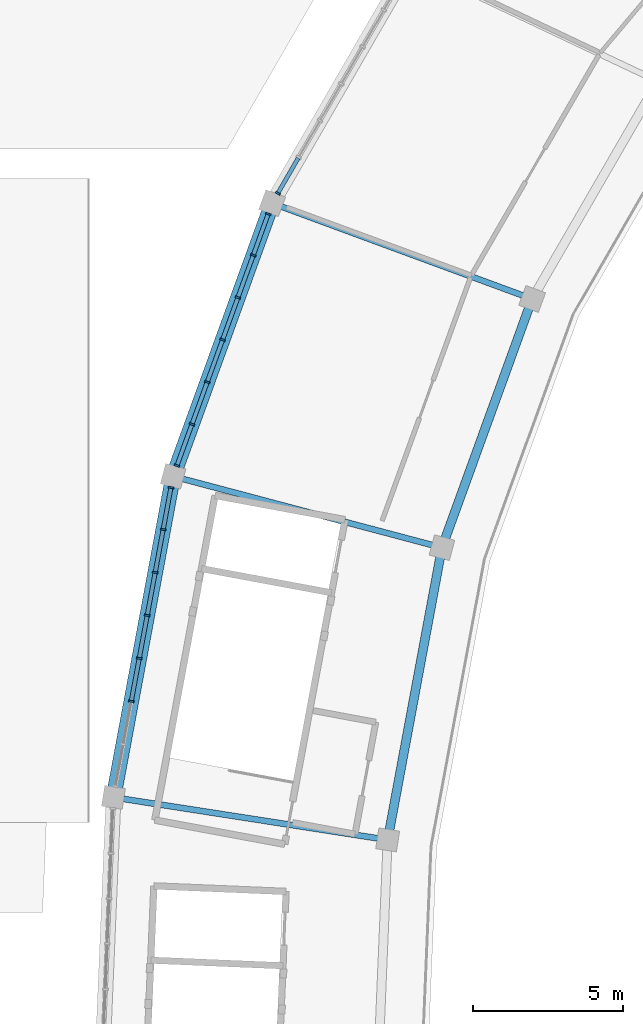
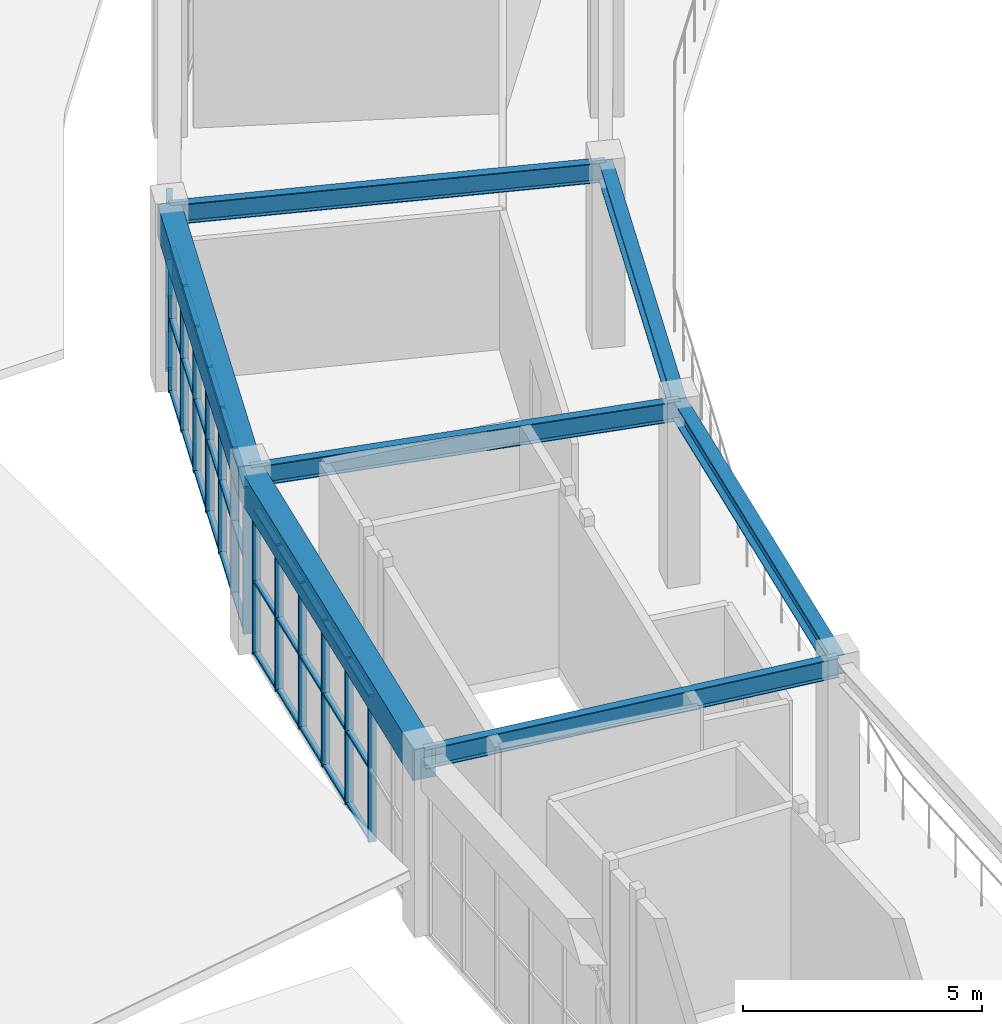
# One storey, part 21 of 45: 50 members, 7 beams, 3 elements without a shape of their own.
"""IFC4 building model written with IfcOpenShell, lengths in metres."""

from ifc_helpers import new_model, si_unit, direction, frame, origin, origin_2d, place, context, subcontext, project, spatial, rectangle, i_section, extrude, material, layer, layer_set, material_profile, profile_set, type_object, element, aggregate, save


model = new_model("IFC4")

# Units and contexts
model_context = context("Model", 3, precision=1e-05, world=origin(), true_north=direction((0.0, 1.0)))
body_context = subcontext(model_context, "Body", "Model", "MODEL_VIEW")
ifc_project = project(units=[si_unit("LENGTHUNIT", "METRE"), si_unit("AREAUNIT", "SQUARE_METRE"), si_unit("VOLUMEUNIT", "CUBIC_METRE"), si_unit("PLANEANGLEUNIT", "RADIAN"), si_unit("MASSUNIT", "GRAM", prefix="KILO")], contexts=[model_context])

# Site, building, storey
site_placement = place(None, origin())
site = spatial("IfcSite", under=ifc_project, at=site_placement, CompositionType="ELEMENT")
building_placement = place(site_placement, origin())
building = spatial("IfcBuilding", under=site, at=building_placement, Name="Mphavela Belvedere Stadium", CompositionType="ELEMENT")
storey_placement = place(building_placement, frame((0.0, 0.0, 24.0)))
storey = spatial("IfcBuildingStorey", under=building, at=storey_placement, Name="L05", CompositionType="ELEMENT", Elevation=24.0)

# Beams
ifc_material_1 = material(Name="Concrete C40/50", Category="concrete")
ifc_material_profile_1 = material_profile(ifc_material_1, rectangle(XDim=0.5, YDim=0.800048828125, at=origin_2d()), Name="RC 500x800")
ifc_profile_set_1 = profile_set([ifc_material_profile_1], Name="Concrete C40/50")
beam_type_1 = type_object("IfcBeamType", Name="BM-SPANDREL-800", PredefinedType="SPANDREL", material=ifc_profile_set_1)
beam_1_placement = place(storey_placement, frame((18.143798828125, 122.682373046875, 4.14990234375), z_axis=(-0.341017570596, -0.94005692197, 0.0), x_axis=(0.94005692197, -0.341017570596, 0.0)))
element("IfcBeam", 1, at=beam_1_placement, inside=storey, type_object=beam_type_1, Name="Circumferential girder L05 R4-22", PredefinedType="SPANDREL", context=body_context, shape_type="SweptSolid", body=[
    extrude(rectangle(XDim=0.5, YDim=0.800048828125, at=origin_2d()), origin(), (0.0, 0.0, 1.0), 9.701416015625),
])
beam_2_placement = place(storey_placement, frame((14.83544921875, 113.5625, 4.14990234375), z_axis=(-0.18264260648, -0.983179372393, 0.0), x_axis=(0.983179372393, -0.18264260648, 0.0)))
element("IfcBeam", 2, at=beam_2_placement, inside=storey, type_object=beam_type_1, Name="Circumferential girder L05 R4-23", PredefinedType="SPANDREL", context=body_context, shape_type="SweptSolid", body=[
    extrude(rectangle(XDim=0.5, YDim=0.800048828125, at=origin_2d()), origin(), (0.0, 0.0, 1.0), 10.90087890625),
])
ifc_material_2 = material(Name="Steel S355", Category="steel")
ifc_material_profile_2 = material_profile(ifc_material_2, i_section(OverallWidth=0.300048828125, OverallDepth=0.489990234375, WebThickness=0.011962890625, FlangeThickness=0.02294921875, at=origin_2d()), Name="HEA 500")
ifc_profile_set_2 = profile_set([ifc_material_profile_2], Name="Steel S355")
beam_type_2 = type_object("IfcBeamType", Name="BM-STEEL-HEA500", PredefinedType="BEAM", material=ifc_profile_set_2)
beam_3_placement = place(storey_placement, frame((26.824462890625, 119.484375, 4.304931640625), z_axis=(-0.341030504348, -0.940052229987, 0.0), x_axis=(0.940052229987, -0.341030504348, 0.0)))
element("IfcBeam", 3, at=beam_3_placement, inside=storey, type_object=beam_type_2, Name="Circumferential girder L05 R3-22", PredefinedType="BEAM", context=body_context, shape_type="SweptSolid", body=[
    extrude(i_section(OverallWidth=0.300048828125, OverallDepth=0.489990234375, WebThickness=0.011962890625, FlangeThickness=0.02294921875, at=origin_2d()), origin(), (0.0, 0.0, 1.0), 8.83203125),
])
beam_4_placement = place(storey_placement, frame((23.8125, 111.181884765625, 4.304931640625), z_axis=(-0.182638056683, -0.983180217585, 0.0), x_axis=(0.983180217585, -0.182638056683, 0.0)))
element("IfcBeam", 4, at=beam_4_placement, inside=storey, type_object=beam_type_2, Name="Circumferential girder L05 R3-23", PredefinedType="BEAM", context=body_context, shape_type="SweptSolid", body=[
    extrude(i_section(OverallWidth=0.300048828125, OverallDepth=0.489990234375, WebThickness=0.011962890625, FlangeThickness=0.02294921875, at=origin_2d()), origin(), (0.0, 0.0, 1.0), 9.924072265625),
])
ifc_material_3 = material(Name="Steel S355", Category="steel")
ifc_material_profile_3 = material_profile(ifc_material_3, i_section(OverallWidth=0.199951171875, OverallDepth=0.5, WebThickness=0.01025390625, FlangeThickness=0.01611328125, at=origin_2d()), Name="IPE 500")
ifc_profile_set_3 = profile_set([ifc_material_profile_3], Name="Steel S355")
beam_type_3 = type_object("IfcBeamType", Name="BM-STEEL-IPE500", PredefinedType="BEAM", material=ifc_profile_set_3)
beam_5_placement = place(storey_placement, frame((26.824462890625, 119.484375, 4.300048828125), z_axis=(-0.938348073025, 0.345691905967, 0.0), x_axis=(-0.345691905967, -0.938348073025, 0.0)))
element("IfcBeam", 5, at=beam_5_placement, inside=storey, type_object=beam_type_3, Name="Radial concourse girder L05 R3R4-22", PredefinedType="BEAM", context=body_context, shape_type="SweptSolid", body=[
    extrude(i_section(OverallWidth=0.199951171875, OverallDepth=0.5, WebThickness=0.01025390625, FlangeThickness=0.01611328125, at=origin_2d()), origin(), (0.0, 0.0, 1.0), 9.2509765625),
])
beam_6_placement = place(storey_placement, frame((23.8125, 111.181884765625, 4.300048828125), z_axis=(-0.966589609073, 0.256328944196, 0.0), x_axis=(-0.256328944196, -0.966589609073, 0.0)))
element("IfcBeam", 6, at=beam_6_placement, inside=storey, type_object=beam_type_3, Name="Radial concourse girder L05 R3R4-23", PredefinedType="BEAM", context=body_context, shape_type="SweptSolid", body=[
    extrude(i_section(OverallWidth=0.199951171875, OverallDepth=0.5, WebThickness=0.01025390625, FlangeThickness=0.01611328125, at=origin_2d()), origin(), (0.0, 0.0, 1.0), 9.287353515625),
])
beam_7_placement = place(storey_placement, frame((22.0, 101.4248046875, 4.300048828125), z_axis=(-0.988182369303, 0.153282761586, 0.0), x_axis=(-0.153282761586, -0.988182369303, 0.0)))
element("IfcBeam", 7, at=beam_7_placement, inside=storey, type_object=beam_type_3, Name="Radial concourse girder L05 R3R4-24", PredefinedType="BEAM", context=body_context, shape_type="SweptSolid", body=[
    extrude(i_section(OverallWidth=0.199951171875, OverallDepth=0.5, WebThickness=0.01025390625, FlangeThickness=0.01611328125, at=origin_2d()), origin(), (0.0, 0.0, 1.0), 9.264892578125),
])

# Curtain wall, member
ifc_material_4 = material(Name="Anodised bronze unitised curtain wall framing")
ifc_layer_1 = layer(ifc_material_4, 0.18994140625)
ifc_layer_set_1 = layer_set([ifc_layer_1], Name="Anodised bronze unitised curtain wall framing")
curtain_wall_type_1 = type_object("IfcCurtainWallType", Name="CW-UNIT-03", PredefinedType="USERDEFINED", material=ifc_layer_set_1)
curtain_wall_1_placement = place(storey_placement, origin())
curtain_wall_1 = element("IfcCurtainWall", 8, at=curtain_wall_1_placement, inside=storey, type_object=curtain_wall_type_1, Name="Belvedere colonnade curtain wall L05-21", ObjectType="UNITISED CURTAIN WALL", PredefinedType="USERDEFINED")
ifc_material_5 = material(Name="Anodised bronze extruded aluminium", Category="aluminium")
ifc_material_profile_4 = material_profile(ifc_material_5, rectangle(XDim=0.179931640625, YDim=0.06494140625, at=origin_2d()), Name="CW-MUL 180x65")
ifc_profile_set_4 = profile_set([ifc_material_profile_4], Name="Anodised bronze extruded aluminium")
member_type_1 = type_object("IfcMemberType", Name="CWM-180x65", PredefinedType="MULLION", material=ifc_profile_set_4)
member_1_placement = place(storey_placement, frame((18.33447265625, 123.01171875, 0.0), z_axis=(0.0, 0.0, 1.0), x_axis=(0.865704159606, -0.500555998906, 0.0)))
member_1 = element("IfcMember", 9, at=member_1_placement, type_object=member_type_1, Name="CW-03 mullion 7", PredefinedType="MULLION", context=body_context, shape_type="SweptSolid", body=[
    extrude(rectangle(XDim=0.179931640625, YDim=0.06494140625, at=origin_2d()), origin(), (0.0, 0.0, 1.0), 3.719970703125),
])

# Curtain wall, members
ifc_material_6 = material(Name="Anodised bronze unitised curtain wall framing")
ifc_layer_2 = layer(ifc_material_6, 0.195068359375)
ifc_layer_set_2 = layer_set([ifc_layer_2], Name="Anodised bronze unitised curtain wall framing")
curtain_wall_type_2 = type_object("IfcCurtainWallType", Name="CW-UNIT-04", PredefinedType="USERDEFINED", material=ifc_layer_set_2)
curtain_wall_2_placement = place(storey_placement, origin())
curtain_wall_2 = element("IfcCurtainWall", 10, at=curtain_wall_2_placement, inside=storey, type_object=curtain_wall_type_2, Name="Belvedere colonnade curtain wall L05-22", ObjectType="UNITISED CURTAIN WALL", PredefinedType="USERDEFINED")
member_2_placement = place(storey_placement, frame((18.01416015625, 122.32470703125, 0.0), z_axis=(0.0, 0.0, 1.0), x_axis=(0.940053496111, -0.341027014251, 0.0)))
member_2 = element("IfcMember", 11, at=member_2_placement, type_object=member_type_1, Name="CW-04 mullion 1", PredefinedType="MULLION", context=body_context, shape_type="SweptSolid", body=[
    extrude(rectangle(XDim=0.179931640625, YDim=0.06494140625, at=origin_2d()), origin(), (0.0, 0.0, 1.0), 3.719970703125),
])
member_3_placement = place(storey_placement, frame((17.513427734375, 120.9443359375, 0.0), z_axis=(0.0, 0.0, 1.0), x_axis=(0.940053496111, -0.341027014251, 0.0)))
member_3 = element("IfcMember", 12, at=member_3_placement, type_object=member_type_1, Name="CW-04 mullion 2", PredefinedType="MULLION", context=body_context, shape_type="SweptSolid", body=[
    extrude(rectangle(XDim=0.179931640625, YDim=0.06494140625, at=origin_2d()), origin(), (0.0, 0.0, 1.0), 3.719970703125),
])
member_4_placement = place(storey_placement, frame((17.00146484375, 119.533447265625, 0.0), z_axis=(0.0, 0.0, 1.0), x_axis=(0.940053496111, -0.341027014251, 0.0)))
member_4 = element("IfcMember", 13, at=member_4_placement, type_object=member_type_1, Name="CW-04 mullion 3", PredefinedType="MULLION", context=body_context, shape_type="SweptSolid", body=[
    extrude(rectangle(XDim=0.179931640625, YDim=0.06494140625, at=origin_2d()), origin(), (0.0, 0.0, 1.0), 3.719970703125),
])
member_5_placement = place(storey_placement, frame((16.48974609375, 118.122314453125, 0.0), z_axis=(0.0, 0.0, 1.0), x_axis=(0.940053496111, -0.341027014251, 0.0)))
member_5 = element("IfcMember", 14, at=member_5_placement, type_object=member_type_1, Name="CW-04 mullion 4", PredefinedType="MULLION", context=body_context, shape_type="SweptSolid", body=[
    extrude(rectangle(XDim=0.179931640625, YDim=0.06494140625, at=origin_2d()), origin(), (0.0, 0.0, 1.0), 3.719970703125),
])
member_6_placement = place(storey_placement, frame((15.977783203125, 116.71142578125, 0.0), z_axis=(0.0, 0.0, 1.0), x_axis=(0.940053496111, -0.341027014251, 0.0)))
member_6 = element("IfcMember", 15, at=member_6_placement, type_object=member_type_1, Name="CW-04 mullion 5", PredefinedType="MULLION", context=body_context, shape_type="SweptSolid", body=[
    extrude(rectangle(XDim=0.179931640625, YDim=0.06494140625, at=origin_2d()), origin(), (0.0, 0.0, 1.0), 3.719970703125),
])
member_7_placement = place(storey_placement, frame((15.466064453125, 115.300537109375, 0.0), z_axis=(0.0, 0.0, 1.0), x_axis=(0.940053496111, -0.341027014251, 0.0)))
member_7 = element("IfcMember", 16, at=member_7_placement, type_object=member_type_1, Name="CW-04 mullion 6", PredefinedType="MULLION", context=body_context, shape_type="SweptSolid", body=[
    extrude(rectangle(XDim=0.179931640625, YDim=0.06494140625, at=origin_2d()), origin(), (0.0, 0.0, 1.0), 3.719970703125),
])
member_8_placement = place(storey_placement, frame((14.965087890625, 113.920166015625, 0.0), z_axis=(0.0, 0.0, 1.0), x_axis=(0.940053496111, -0.341027014251, 0.0)))
member_8 = element("IfcMember", 17, at=member_8_placement, type_object=member_type_1, Name="CW-04 mullion 7", PredefinedType="MULLION", context=body_context, shape_type="SweptSolid", body=[
    extrude(rectangle(XDim=0.179931640625, YDim=0.06494140625, at=origin_2d()), origin(), (0.0, 0.0, 1.0), 3.719970703125),
])

ifc_material_7 = material(Name="Anodised bronze unitised curtain wall framing")
ifc_layer_3 = layer(ifc_material_7, 0.199951171875)
ifc_layer_set_3 = layer_set([ifc_layer_3], Name="Anodised bronze unitised curtain wall framing")
curtain_wall_type_3 = type_object("IfcCurtainWallType", Name="CW-UNIT-05", PredefinedType="USERDEFINED", material=ifc_layer_set_3)
curtain_wall_3_placement = place(storey_placement, origin())
curtain_wall_3 = element("IfcCurtainWall", 18, at=curtain_wall_3_placement, inside=storey, type_object=curtain_wall_type_3, Name="Belvedere colonnade curtain wall L05-23", ObjectType="UNITISED CURTAIN WALL", PredefinedType="USERDEFINED")
member_9_placement = place(storey_placement, frame((14.765869140625, 113.1884765625, 0.0), z_axis=(0.0, 0.0, 1.0), x_axis=(0.98318393569, -0.182618040183, 0.0)))
member_9 = element("IfcMember", 19, at=member_9_placement, type_object=member_type_1, Name="CW-05 mullion 1", PredefinedType="MULLION", context=body_context, shape_type="SweptSolid", body=[
    extrude(rectangle(XDim=0.179931640625, YDim=0.06494140625, at=origin_2d()), origin(), (0.0, 0.0, 1.0), 3.719970703125),
])
member_10_placement = place(storey_placement, frame((14.505615234375, 111.787109375, 0.0), z_axis=(0.0, 0.0, 1.0), x_axis=(0.98318393569, -0.182618040183, 0.0)))
member_10 = element("IfcMember", 20, at=member_10_placement, type_object=member_type_1, Name="CW-05 mullion 2", PredefinedType="MULLION", context=body_context, shape_type="SweptSolid", body=[
    extrude(rectangle(XDim=0.179931640625, YDim=0.06494140625, at=origin_2d()), origin(), (0.0, 0.0, 1.0), 3.719970703125),
])
member_11_placement = place(storey_placement, frame((14.2392578125, 110.353759765625, 0.0), z_axis=(0.0, 0.0, 1.0), x_axis=(0.98318393569, -0.182618040183, 0.0)))
member_11 = element("IfcMember", 21, at=member_11_placement, type_object=member_type_1, Name="CW-05 mullion 3", PredefinedType="MULLION", context=body_context, shape_type="SweptSolid", body=[
    extrude(rectangle(XDim=0.179931640625, YDim=0.06494140625, at=origin_2d()), origin(), (0.0, 0.0, 1.0), 3.719970703125),
])
member_12_placement = place(storey_placement, frame((13.97314453125, 108.92041015625, 0.0), z_axis=(0.0, 0.0, 1.0), x_axis=(0.98318393569, -0.182618040183, 0.0)))
member_12 = element("IfcMember", 22, at=member_12_placement, type_object=member_type_1, Name="CW-05 mullion 4", PredefinedType="MULLION", context=body_context, shape_type="SweptSolid", body=[
    extrude(rectangle(XDim=0.179931640625, YDim=0.06494140625, at=origin_2d()), origin(), (0.0, 0.0, 1.0), 3.719970703125),
])
member_13_placement = place(storey_placement, frame((13.706787109375, 107.487060546875, 0.0), z_axis=(0.0, 0.0, 1.0), x_axis=(0.98318393569, -0.182618040183, 0.0)))
member_13 = element("IfcMember", 23, at=member_13_placement, type_object=member_type_1, Name="CW-05 mullion 5", PredefinedType="MULLION", context=body_context, shape_type="SweptSolid", body=[
    extrude(rectangle(XDim=0.179931640625, YDim=0.06494140625, at=origin_2d()), origin(), (0.0, 0.0, 1.0), 3.719970703125),
])
member_14_placement = place(storey_placement, frame((13.440673828125, 106.0537109375, 0.0), z_axis=(0.0, 0.0, 1.0), x_axis=(0.98318393569, -0.182618040183, 0.0)))
member_14 = element("IfcMember", 24, at=member_14_placement, type_object=member_type_1, Name="CW-05 mullion 6", PredefinedType="MULLION", context=body_context, shape_type="SweptSolid", body=[
    extrude(rectangle(XDim=0.179931640625, YDim=0.06494140625, at=origin_2d()), origin(), (0.0, 0.0, 1.0), 3.719970703125),
])

# Member
ifc_material_8 = material(Name="Anodised bronze extruded aluminium", Category="aluminium")
ifc_material_profile_5 = material_profile(ifc_material_8, rectangle(XDim=0.139892578125, YDim=0.06005859375, at=origin_2d()), Name="CW-TRN 140x60")
ifc_profile_set_5 = profile_set([ifc_material_profile_5], Name="Anodised bronze extruded aluminium")
member_type_2 = type_object("IfcMemberType", Name="CWT-140x60", PredefinedType="USERDEFINED", material=ifc_profile_set_5)
member_15_placement = place(storey_placement, frame((19.0126953125, 124.184814453125, 0.030029296875), z_axis=(-0.500585088296, -0.865687339272, 0.0), x_axis=(0.865687339272, -0.500585088296, 0.0)))
member_15 = element("IfcMember", 25, at=member_15_placement, type_object=member_type_2, Name="CW-03 transom 6.1", ObjectType="TRANSOM", PredefinedType="USERDEFINED", context=body_context, shape_type="SweptSolid", body=[
    extrude(rectangle(XDim=0.139892578125, YDim=0.06005859375, at=origin_2d()), origin(), (0.0, 0.0, 1.0), 1.32275390625),
])

member_16_placement = place(storey_placement, frame((19.0126953125, 124.184814453125, 1.860107421875), z_axis=(-0.500585088296, -0.865687339272, 0.0), x_axis=(0.865687339272, -0.500585088296, 0.0)))
member_16 = element("IfcMember", 26, at=member_16_placement, type_object=member_type_2, Name="CW-03 transom 6.2", ObjectType="TRANSOM", PredefinedType="USERDEFINED", context=body_context, shape_type="SweptSolid", body=[
    extrude(rectangle(XDim=0.139892578125, YDim=0.06005859375, at=origin_2d()), origin(), (0.0, 0.0, 1.0), 1.32275390625),
])

member_17_placement = place(storey_placement, frame((19.0126953125, 124.184814453125, 3.68994140625), z_axis=(-0.500585088296, -0.865687339272, 0.0), x_axis=(0.865687339272, -0.500585088296, 0.0)))
member_17 = element("IfcMember", 27, at=member_17_placement, type_object=member_type_2, Name="CW-03 transom 6.3", ObjectType="TRANSOM", PredefinedType="USERDEFINED", context=body_context, shape_type="SweptSolid", body=[
    extrude(rectangle(XDim=0.139892578125, YDim=0.06005859375, at=origin_2d()), origin(), (0.0, 0.0, 1.0), 1.32275390625),
])

aggregate(curtain_wall_1, [member_1, member_15, member_16, member_17])

member_18_placement = place(storey_placement, frame((18.0029296875, 122.294189453125, 0.030029296875), z_axis=(-0.340960761536, -0.940077528235, 0.0), x_axis=(0.940077528235, -0.340960761536, 0.0)))
member_18 = element("IfcMember", 28, at=member_18_placement, type_object=member_type_2, Name="CW-04 transom 1.1", ObjectType="TRANSOM", PredefinedType="USERDEFINED", context=body_context, shape_type="SweptSolid", body=[
    extrude(rectangle(XDim=0.139892578125, YDim=0.06005859375, at=origin_2d()), origin(), (0.0, 0.0, 1.0), 1.4033203125),
])

member_19_placement = place(storey_placement, frame((18.0029296875, 122.294189453125, 1.860107421875), z_axis=(-0.340960761536, -0.940077528235, 0.0), x_axis=(0.940077528235, -0.340960761536, 0.0)))
member_19 = element("IfcMember", 29, at=member_19_placement, type_object=member_type_2, Name="CW-04 transom 1.2", ObjectType="TRANSOM", PredefinedType="USERDEFINED", context=body_context, shape_type="SweptSolid", body=[
    extrude(rectangle(XDim=0.139892578125, YDim=0.06005859375, at=origin_2d()), origin(), (0.0, 0.0, 1.0), 1.4033203125),
])

member_20_placement = place(storey_placement, frame((18.0029296875, 122.294189453125, 3.68994140625), z_axis=(-0.340960761536, -0.940077528235, 0.0), x_axis=(0.940077528235, -0.340960761536, 0.0)))
member_20 = element("IfcMember", 30, at=member_20_placement, type_object=member_type_2, Name="CW-04 transom 1.3", ObjectType="TRANSOM", PredefinedType="USERDEFINED", context=body_context, shape_type="SweptSolid", body=[
    extrude(rectangle(XDim=0.139892578125, YDim=0.06005859375, at=origin_2d()), origin(), (0.0, 0.0, 1.0), 1.4033203125),
])

member_21_placement = place(storey_placement, frame((17.502197265625, 120.913818359375, 0.030029296875), z_axis=(-0.340910154233, -0.940095881674, 0.0), x_axis=(0.940095881674, -0.340910154233, 0.0)))
member_21 = element("IfcMember", 31, at=member_21_placement, type_object=member_type_2, Name="CW-04 transom 2.1", ObjectType="TRANSOM", PredefinedType="USERDEFINED", context=body_context, shape_type="SweptSolid", body=[
    extrude(rectangle(XDim=0.139892578125, YDim=0.06005859375, at=origin_2d()), origin(), (0.0, 0.0, 1.0), 1.435791015625),
])

member_22_placement = place(storey_placement, frame((17.502197265625, 120.913818359375, 1.860107421875), z_axis=(-0.340910154233, -0.940095881674, 0.0), x_axis=(0.940095881674, -0.340910154233, 0.0)))
member_22 = element("IfcMember", 32, at=member_22_placement, type_object=member_type_2, Name="CW-04 transom 2.2", ObjectType="TRANSOM", PredefinedType="USERDEFINED", context=body_context, shape_type="SweptSolid", body=[
    extrude(rectangle(XDim=0.139892578125, YDim=0.06005859375, at=origin_2d()), origin(), (0.0, 0.0, 1.0), 1.435791015625),
])

member_23_placement = place(storey_placement, frame((17.502197265625, 120.913818359375, 3.68994140625), z_axis=(-0.340910154233, -0.940095881674, 0.0), x_axis=(0.940095881674, -0.340910154233, 0.0)))
member_23 = element("IfcMember", 33, at=member_23_placement, type_object=member_type_2, Name="CW-04 transom 2.3", ObjectType="TRANSOM", PredefinedType="USERDEFINED", context=body_context, shape_type="SweptSolid", body=[
    extrude(rectangle(XDim=0.139892578125, YDim=0.06005859375, at=origin_2d()), origin(), (0.0, 0.0, 1.0), 1.435791015625),
])

member_24_placement = place(storey_placement, frame((16.990478515625, 119.502685546875, 0.030029296875), z_axis=(-0.341060410328, -0.94004138021, 0.0), x_axis=(0.94004138021, -0.341060410328, 0.0)))
member_24 = element("IfcMember", 34, at=member_24_placement, type_object=member_type_2, Name="CW-04 transom 3.1", ObjectType="TRANSOM", PredefinedType="USERDEFINED", context=body_context, shape_type="SweptSolid", body=[
    extrude(rectangle(XDim=0.139892578125, YDim=0.06005859375, at=origin_2d()), origin(), (0.0, 0.0, 1.0), 1.43603515625),
])

member_25_placement = place(storey_placement, frame((16.990478515625, 119.502685546875, 1.860107421875), z_axis=(-0.341060410328, -0.94004138021, 0.0), x_axis=(0.94004138021, -0.341060410328, 0.0)))
member_25 = element("IfcMember", 35, at=member_25_placement, type_object=member_type_2, Name="CW-04 transom 3.2", ObjectType="TRANSOM", PredefinedType="USERDEFINED", context=body_context, shape_type="SweptSolid", body=[
    extrude(rectangle(XDim=0.139892578125, YDim=0.06005859375, at=origin_2d()), origin(), (0.0, 0.0, 1.0), 1.43603515625),
])

member_26_placement = place(storey_placement, frame((16.990478515625, 119.502685546875, 3.68994140625), z_axis=(-0.341060410328, -0.94004138021, 0.0), x_axis=(0.94004138021, -0.341060410328, 0.0)))
member_26 = element("IfcMember", 36, at=member_26_placement, type_object=member_type_2, Name="CW-04 transom 3.3", ObjectType="TRANSOM", PredefinedType="USERDEFINED", context=body_context, shape_type="SweptSolid", body=[
    extrude(rectangle(XDim=0.139892578125, YDim=0.06005859375, at=origin_2d()), origin(), (0.0, 0.0, 1.0), 1.43603515625),
])

member_27_placement = place(storey_placement, frame((16.478515625, 118.091796875, 0.030029296875), z_axis=(-0.341060410328, -0.94004138021, 0.0), x_axis=(0.94004138021, -0.341060410328, 0.0)))
member_27 = element("IfcMember", 37, at=member_27_placement, type_object=member_type_2, Name="CW-04 transom 4.1", ObjectType="TRANSOM", PredefinedType="USERDEFINED", context=body_context, shape_type="SweptSolid", body=[
    extrude(rectangle(XDim=0.139892578125, YDim=0.06005859375, at=origin_2d()), origin(), (0.0, 0.0, 1.0), 1.43603515625),
])

member_28_placement = place(storey_placement, frame((16.478515625, 118.091796875, 1.860107421875), z_axis=(-0.341060410328, -0.94004138021, 0.0), x_axis=(0.94004138021, -0.341060410328, 0.0)))
member_28 = element("IfcMember", 38, at=member_28_placement, type_object=member_type_2, Name="CW-04 transom 4.2", ObjectType="TRANSOM", PredefinedType="USERDEFINED", context=body_context, shape_type="SweptSolid", body=[
    extrude(rectangle(XDim=0.139892578125, YDim=0.06005859375, at=origin_2d()), origin(), (0.0, 0.0, 1.0), 1.43603515625),
])

member_29_placement = place(storey_placement, frame((16.478515625, 118.091796875, 3.68994140625), z_axis=(-0.341060410328, -0.94004138021, 0.0), x_axis=(0.94004138021, -0.341060410328, 0.0)))
member_29 = element("IfcMember", 39, at=member_29_placement, type_object=member_type_2, Name="CW-04 transom 4.3", ObjectType="TRANSOM", PredefinedType="USERDEFINED", context=body_context, shape_type="SweptSolid", body=[
    extrude(rectangle(XDim=0.139892578125, YDim=0.06005859375, at=origin_2d()), origin(), (0.0, 0.0, 1.0), 1.43603515625),
])

member_30_placement = place(storey_placement, frame((15.966796875, 116.680908203125, 0.030029296875), z_axis=(-0.341060410328, -0.94004138021, 0.0), x_axis=(0.94004138021, -0.341060410328, 0.0)))
member_30 = element("IfcMember", 40, at=member_30_placement, type_object=member_type_2, Name="CW-04 transom 5.1", ObjectType="TRANSOM", PredefinedType="USERDEFINED", context=body_context, shape_type="SweptSolid", body=[
    extrude(rectangle(XDim=0.139892578125, YDim=0.06005859375, at=origin_2d()), origin(), (0.0, 0.0, 1.0), 1.43603515625),
])

member_31_placement = place(storey_placement, frame((15.966796875, 116.680908203125, 1.860107421875), z_axis=(-0.341060410328, -0.94004138021, 0.0), x_axis=(0.94004138021, -0.341060410328, 0.0)))
member_31 = element("IfcMember", 41, at=member_31_placement, type_object=member_type_2, Name="CW-04 transom 5.2", ObjectType="TRANSOM", PredefinedType="USERDEFINED", context=body_context, shape_type="SweptSolid", body=[
    extrude(rectangle(XDim=0.139892578125, YDim=0.06005859375, at=origin_2d()), origin(), (0.0, 0.0, 1.0), 1.43603515625),
])

member_32_placement = place(storey_placement, frame((15.966796875, 116.680908203125, 3.68994140625), z_axis=(-0.341060410328, -0.94004138021, 0.0), x_axis=(0.94004138021, -0.341060410328, 0.0)))
member_32 = element("IfcMember", 42, at=member_32_placement, type_object=member_type_2, Name="CW-04 transom 5.3", ObjectType="TRANSOM", PredefinedType="USERDEFINED", context=body_context, shape_type="SweptSolid", body=[
    extrude(rectangle(XDim=0.139892578125, YDim=0.06005859375, at=origin_2d()), origin(), (0.0, 0.0, 1.0), 1.43603515625),
])

member_33_placement = place(storey_placement, frame((15.454833984375, 115.27001953125, 0.030029296875), z_axis=(-0.340960761536, -0.940077528235, 0.0), x_axis=(0.940077528235, -0.340960761536, 0.0)))
member_33 = element("IfcMember", 43, at=member_33_placement, type_object=member_type_2, Name="CW-04 transom 6.1", ObjectType="TRANSOM", PredefinedType="USERDEFINED", context=body_context, shape_type="SweptSolid", body=[
    extrude(rectangle(XDim=0.139892578125, YDim=0.06005859375, at=origin_2d()), origin(), (0.0, 0.0, 1.0), 1.4033203125),
])

member_34_placement = place(storey_placement, frame((15.454833984375, 115.27001953125, 1.860107421875), z_axis=(-0.340960761536, -0.940077528235, 0.0), x_axis=(0.940077528235, -0.340960761536, 0.0)))
member_34 = element("IfcMember", 44, at=member_34_placement, type_object=member_type_2, Name="CW-04 transom 6.2", ObjectType="TRANSOM", PredefinedType="USERDEFINED", context=body_context, shape_type="SweptSolid", body=[
    extrude(rectangle(XDim=0.139892578125, YDim=0.06005859375, at=origin_2d()), origin(), (0.0, 0.0, 1.0), 1.4033203125),
])

member_35_placement = place(storey_placement, frame((15.454833984375, 115.27001953125, 3.68994140625), z_axis=(-0.340960761536, -0.940077528235, 0.0), x_axis=(0.940077528235, -0.340960761536, 0.0)))
member_35 = element("IfcMember", 45, at=member_35_placement, type_object=member_type_2, Name="CW-04 transom 6.3", ObjectType="TRANSOM", PredefinedType="USERDEFINED", context=body_context, shape_type="SweptSolid", body=[
    extrude(rectangle(XDim=0.139892578125, YDim=0.06005859375, at=origin_2d()), origin(), (0.0, 0.0, 1.0), 1.4033203125),
])

aggregate(curtain_wall_2, [member_2, member_3, member_4, member_5, member_6, member_7, member_8, member_18, member_19, member_20, member_21, member_22, member_23, member_24, member_25, member_26, member_27, member_28, member_29, member_30, member_31, member_32, member_33, member_34, member_35])

member_36_placement = place(storey_placement, frame((14.760009765625, 113.156494140625, 0.030029296875), z_axis=(-0.182706201603, -0.983167556369, 0.0), x_axis=(0.983167556369, -0.182706201603, 0.0)))
member_36 = element("IfcMember", 46, at=member_36_placement, type_object=member_type_2, Name="CW-05 transom 1.1", ObjectType="TRANSOM", PredefinedType="USERDEFINED", context=body_context, shape_type="SweptSolid", body=[
    extrude(rectangle(XDim=0.139892578125, YDim=0.06005859375, at=origin_2d()), origin(), (0.0, 0.0, 1.0), 1.3603515625),
])

member_37_placement = place(storey_placement, frame((14.760009765625, 113.156494140625, 1.860107421875), z_axis=(-0.182706201603, -0.983167556369, 0.0), x_axis=(0.983167556369, -0.182706201603, 0.0)))
member_37 = element("IfcMember", 47, at=member_37_placement, type_object=member_type_2, Name="CW-05 transom 1.2", ObjectType="TRANSOM", PredefinedType="USERDEFINED", context=body_context, shape_type="SweptSolid", body=[
    extrude(rectangle(XDim=0.139892578125, YDim=0.06005859375, at=origin_2d()), origin(), (0.0, 0.0, 1.0), 1.3603515625),
])

member_38_placement = place(storey_placement, frame((14.760009765625, 113.156494140625, 3.68994140625), z_axis=(-0.182706201603, -0.983167556369, 0.0), x_axis=(0.983167556369, -0.182706201603, 0.0)))
member_38 = element("IfcMember", 48, at=member_38_placement, type_object=member_type_2, Name="CW-05 transom 1.3", ObjectType="TRANSOM", PredefinedType="USERDEFINED", context=body_context, shape_type="SweptSolid", body=[
    extrude(rectangle(XDim=0.139892578125, YDim=0.06005859375, at=origin_2d()), origin(), (0.0, 0.0, 1.0), 1.3603515625),
])

member_39_placement = place(storey_placement, frame((14.499755859375, 111.755126953125, 0.030029296875), z_axis=(-0.1826478673, -0.98317839509, 0.0), x_axis=(0.98317839509, -0.1826478673, 0.0)))
member_39 = element("IfcMember", 49, at=member_39_placement, type_object=member_type_2, Name="CW-05 transom 2.1", ObjectType="TRANSOM", PredefinedType="USERDEFINED", context=body_context, shape_type="SweptSolid", body=[
    extrude(rectangle(XDim=0.139892578125, YDim=0.06005859375, at=origin_2d()), origin(), (0.0, 0.0, 1.0), 1.392822265625),
])

member_40_placement = place(storey_placement, frame((14.499755859375, 111.755126953125, 1.860107421875), z_axis=(-0.1826478673, -0.98317839509, 0.0), x_axis=(0.98317839509, -0.1826478673, 0.0)))
member_40 = element("IfcMember", 50, at=member_40_placement, type_object=member_type_2, Name="CW-05 transom 2.2", ObjectType="TRANSOM", PredefinedType="USERDEFINED", context=body_context, shape_type="SweptSolid", body=[
    extrude(rectangle(XDim=0.139892578125, YDim=0.06005859375, at=origin_2d()), origin(), (0.0, 0.0, 1.0), 1.392822265625),
])

member_41_placement = place(storey_placement, frame((14.499755859375, 111.755126953125, 3.68994140625), z_axis=(-0.1826478673, -0.98317839509, 0.0), x_axis=(0.98317839509, -0.1826478673, 0.0)))
member_41 = element("IfcMember", 51, at=member_41_placement, type_object=member_type_2, Name="CW-05 transom 2.3", ObjectType="TRANSOM", PredefinedType="USERDEFINED", context=body_context, shape_type="SweptSolid", body=[
    extrude(rectangle(XDim=0.139892578125, YDim=0.06005859375, at=origin_2d()), origin(), (0.0, 0.0, 1.0), 1.392822265625),
])

member_42_placement = place(storey_placement, frame((14.2333984375, 110.32177734375, 0.030029296875), z_axis=(-0.1826478673, -0.98317839509, 0.0), x_axis=(0.98317839509, -0.1826478673, 0.0)))
member_42 = element("IfcMember", 52, at=member_42_placement, type_object=member_type_2, Name="CW-05 transom 3.1", ObjectType="TRANSOM", PredefinedType="USERDEFINED", context=body_context, shape_type="SweptSolid", body=[
    extrude(rectangle(XDim=0.139892578125, YDim=0.06005859375, at=origin_2d()), origin(), (0.0, 0.0, 1.0), 1.392822265625),
])

member_43_placement = place(storey_placement, frame((14.2333984375, 110.32177734375, 1.860107421875), z_axis=(-0.1826478673, -0.98317839509, 0.0), x_axis=(0.98317839509, -0.1826478673, 0.0)))
member_43 = element("IfcMember", 53, at=member_43_placement, type_object=member_type_2, Name="CW-05 transom 3.2", ObjectType="TRANSOM", PredefinedType="USERDEFINED", context=body_context, shape_type="SweptSolid", body=[
    extrude(rectangle(XDim=0.139892578125, YDim=0.06005859375, at=origin_2d()), origin(), (0.0, 0.0, 1.0), 1.392822265625),
])

member_44_placement = place(storey_placement, frame((14.2333984375, 110.32177734375, 3.68994140625), z_axis=(-0.1826478673, -0.98317839509, 0.0), x_axis=(0.98317839509, -0.1826478673, 0.0)))
member_44 = element("IfcMember", 54, at=member_44_placement, type_object=member_type_2, Name="CW-05 transom 3.3", ObjectType="TRANSOM", PredefinedType="USERDEFINED", context=body_context, shape_type="SweptSolid", body=[
    extrude(rectangle(XDim=0.139892578125, YDim=0.06005859375, at=origin_2d()), origin(), (0.0, 0.0, 1.0), 1.392822265625),
])

member_45_placement = place(storey_placement, frame((13.96728515625, 108.888427734375, 0.030029296875), z_axis=(-0.1826478673, -0.98317839509, 0.0), x_axis=(0.98317839509, -0.1826478673, 0.0)))
member_45 = element("IfcMember", 55, at=member_45_placement, type_object=member_type_2, Name="CW-05 transom 4.1", ObjectType="TRANSOM", PredefinedType="USERDEFINED", context=body_context, shape_type="SweptSolid", body=[
    extrude(rectangle(XDim=0.139892578125, YDim=0.06005859375, at=origin_2d()), origin(), (0.0, 0.0, 1.0), 1.392822265625),
])

member_46_placement = place(storey_placement, frame((13.96728515625, 108.888427734375, 1.860107421875), z_axis=(-0.1826478673, -0.98317839509, 0.0), x_axis=(0.98317839509, -0.1826478673, 0.0)))
member_46 = element("IfcMember", 56, at=member_46_placement, type_object=member_type_2, Name="CW-05 transom 4.2", ObjectType="TRANSOM", PredefinedType="USERDEFINED", context=body_context, shape_type="SweptSolid", body=[
    extrude(rectangle(XDim=0.139892578125, YDim=0.06005859375, at=origin_2d()), origin(), (0.0, 0.0, 1.0), 1.392822265625),
])

member_47_placement = place(storey_placement, frame((13.96728515625, 108.888427734375, 3.68994140625), z_axis=(-0.1826478673, -0.98317839509, 0.0), x_axis=(0.98317839509, -0.1826478673, 0.0)))
member_47 = element("IfcMember", 57, at=member_47_placement, type_object=member_type_2, Name="CW-05 transom 4.3", ObjectType="TRANSOM", PredefinedType="USERDEFINED", context=body_context, shape_type="SweptSolid", body=[
    extrude(rectangle(XDim=0.139892578125, YDim=0.06005859375, at=origin_2d()), origin(), (0.0, 0.0, 1.0), 1.392822265625),
])

member_48_placement = place(storey_placement, frame((13.700927734375, 107.455078125, 0.030029296875), z_axis=(-0.1826478673, -0.98317839509, 0.0), x_axis=(0.98317839509, -0.1826478673, 0.0)))
member_48 = element("IfcMember", 58, at=member_48_placement, type_object=member_type_2, Name="CW-05 transom 5.1", ObjectType="TRANSOM", PredefinedType="USERDEFINED", context=body_context, shape_type="SweptSolid", body=[
    extrude(rectangle(XDim=0.139892578125, YDim=0.06005859375, at=origin_2d()), origin(), (0.0, 0.0, 1.0), 1.392822265625),
])

member_49_placement = place(storey_placement, frame((13.700927734375, 107.455078125, 1.860107421875), z_axis=(-0.1826478673, -0.98317839509, 0.0), x_axis=(0.98317839509, -0.1826478673, 0.0)))
member_49 = element("IfcMember", 59, at=member_49_placement, type_object=member_type_2, Name="CW-05 transom 5.2", ObjectType="TRANSOM", PredefinedType="USERDEFINED", context=body_context, shape_type="SweptSolid", body=[
    extrude(rectangle(XDim=0.139892578125, YDim=0.06005859375, at=origin_2d()), origin(), (0.0, 0.0, 1.0), 1.392822265625),
])

member_50_placement = place(storey_placement, frame((13.700927734375, 107.455078125, 3.68994140625), z_axis=(-0.1826478673, -0.98317839509, 0.0), x_axis=(0.98317839509, -0.1826478673, 0.0)))
member_50 = element("IfcMember", 60, at=member_50_placement, type_object=member_type_2, Name="CW-05 transom 5.3", ObjectType="TRANSOM", PredefinedType="USERDEFINED", context=body_context, shape_type="SweptSolid", body=[
    extrude(rectangle(XDim=0.139892578125, YDim=0.06005859375, at=origin_2d()), origin(), (0.0, 0.0, 1.0), 1.392822265625),
])

aggregate(curtain_wall_3, [member_9, member_10, member_11, member_12, member_13, member_14, member_36, member_37, member_38, member_39, member_40, member_41, member_42, member_43, member_44, member_45, member_46, member_47, member_48, member_49, member_50])

save(model, "model.ifc")
